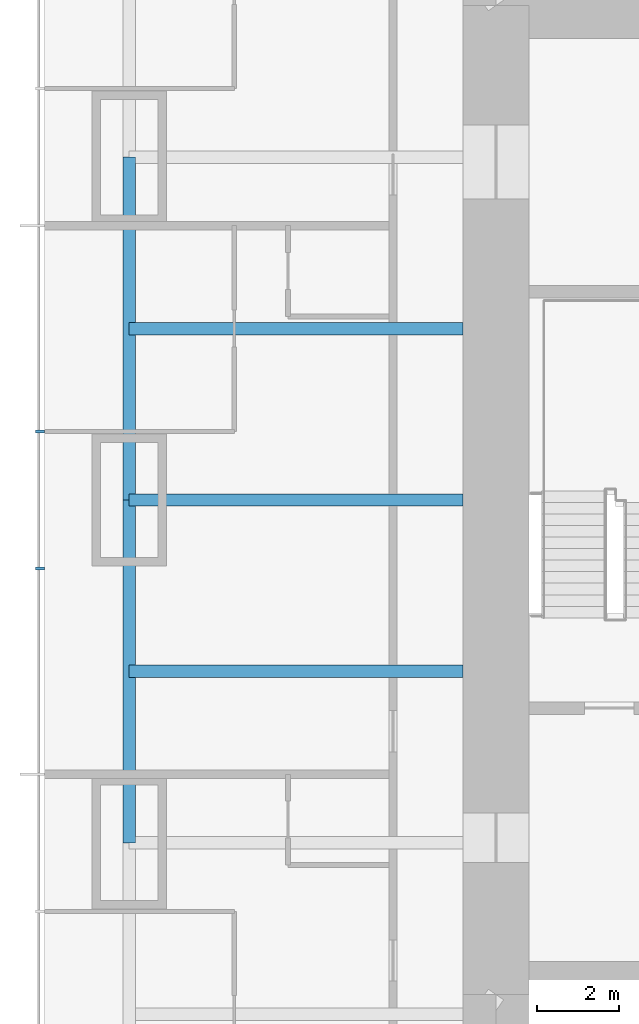
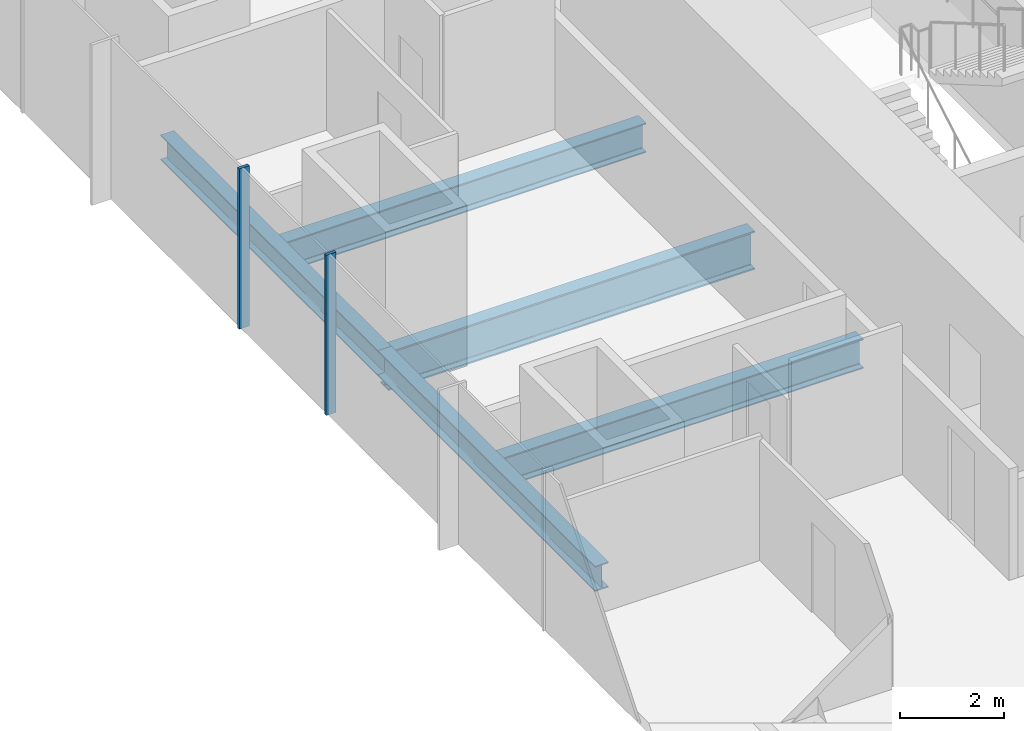
# One storey, part 3 of 12: 5 beams, 2 members, 1 element without a shape of its own.
"""IFC4 building model written with IfcOpenShell, lengths in metres."""

from ifc_helpers import new_model, si_unit, direction, frame, origin, origin_2d, place, context, subcontext, project, spatial, rectangle, i_section, extrude, material, material_profile, profile_set, type_object, element, aggregate, save


model = new_model("IFC4")

# Units and contexts
model_context = context("Model", 3, precision=1e-05, world=origin(), true_north=direction((0.0, 1.0)))
body_context = subcontext(model_context, "Body", "Model", "MODEL_VIEW")
ifc_project = project(units=[si_unit("LENGTHUNIT", "METRE"), si_unit("AREAUNIT", "SQUARE_METRE"), si_unit("VOLUMEUNIT", "CUBIC_METRE"), si_unit("PLANEANGLEUNIT", "RADIAN"), si_unit("MASSUNIT", "GRAM", prefix="KILO")], contexts=[model_context])

# Site, building, storey
site_placement = place(None, origin())
site = spatial("IfcSite", under=ifc_project, at=site_placement, CompositionType="ELEMENT")
building_placement = place(site_placement, origin())
building = spatial("IfcBuilding", under=site, at=building_placement, Name="Khuree Lantern Residences", CompositionType="ELEMENT")
storey_placement = place(building_placement, frame((0.0, 0.0, 210.75)))
storey = spatial("IfcBuildingStorey", under=building, at=storey_placement, Name="L52", CompositionType="ELEMENT", Elevation=210.75)

# Beams
ifc_material_1 = material(Name="Steel S355", Category="steel")
ifc_material_profile_1 = material_profile(ifc_material_1, i_section(OverallWidth=0.300048828125, OverallDepth=0.68994140625, WebThickness=0.014404296875, FlangeThickness=0.027099609375, FilletRadius=0.027099609375, at=origin_2d()), Name="HE 700 A")
ifc_profile_set_1 = profile_set([ifc_material_profile_1], Name="Steel S355")
beam_type_1 = type_object("IfcBeamType", Name="B-31 SECONDARY BEAM HE 700 A", PredefinedType="BEAM", material=ifc_profile_set_1)
for number, where, z_axis, x_axis, name in (
    (1, (-24.39990234375, -4.159912109375, -0.594970703125), (1.0, 0.0, 0.0), (0.0, 1.0, 0.0), "Secondary beam W3"),
    (2, (-24.39990234375, 4.159912109375, -0.594970703125), (1.0, 0.0, 0.0), (0.0, 1.0, 0.0), "Secondary beam W4"),
):
    element("IfcBeam", number, at=place(storey_placement, frame(where, z_axis=z_axis, x_axis=x_axis)), inside=storey, type_object=beam_type_1, Name=name, PredefinedType="BEAM", context=body_context, shape_type="SweptSolid", body=[
        extrude(i_section(OverallWidth=0.300048828125, OverallDepth=0.68994140625, WebThickness=0.014404296875, FlangeThickness=0.027099609375, FilletRadius=0.027099609375, at=origin_2d()), origin(), (0.0, 0.0, 1.0), 8.099853515625),
    ])
ifc_material_profile_2 = material_profile(ifc_material_1, i_section(OverallWidth=0.300048828125, OverallDepth=0.590087890625, WebThickness=0.012939453125, FlangeThickness=0.02490234375, FilletRadius=0.027099609375, at=origin_2d()), Name="HE 600 A")
ifc_profile_set_2 = profile_set([ifc_material_profile_2], Name="Steel S355")
beam_type_2 = type_object("IfcBeamType", Name="E-31 SPANDREL BEAM HE 600 A", PredefinedType="SPANDREL", material=ifc_profile_set_2)
for number, where, z_axis, x_axis, name in (
    (3, (-24.39990234375, -8.320068359375, -0.544921875), (0.0, 1.0, 0.0), (-1.0, 0.0, 0.0), "Spandrel beam W3"),
    (4, (-24.39990234375, 0.0, -0.544921875), (0.0, 1.0, 0.0), (-1.0, 0.0, 0.0), "Spandrel beam W4"),
):
    element("IfcBeam", number, at=place(storey_placement, frame(where, z_axis=z_axis, x_axis=x_axis)), inside=storey, type_object=beam_type_2, Name=name, PredefinedType="SPANDREL", context=body_context, shape_type="SweptSolid", body=[
        extrude(i_section(OverallWidth=0.300048828125, OverallDepth=0.590087890625, WebThickness=0.012939453125, FlangeThickness=0.02490234375, FilletRadius=0.027099609375, at=origin_2d()), origin(), (0.0, 0.0, 1.0), 8.320068359375),
    ])
ifc_material_profile_3 = material_profile(ifc_material_1, i_section(OverallWidth=0.300048828125, OverallDepth=0.89990234375, WebThickness=0.0185546875, FlangeThickness=0.034912109375, FilletRadius=0.030029296875, at=origin_2d()), Name="HE 900 B")
ifc_profile_set_3 = profile_set([ifc_material_profile_3], Name="Steel S355")
beam_type_3 = type_object("IfcBeamType", Name="G-31A GIRDER HE 900 B", PredefinedType="BEAM", material=ifc_profile_set_3)
beam_placement = place(storey_placement, frame((-24.39990234375, 0.0, -0.699951171875), z_axis=(1.0, 0.0, 0.0), x_axis=(0.0, 1.0, 0.0)))
element("IfcBeam", 5, at=beam_placement, inside=storey, type_object=beam_type_3, Name="Girder W3", PredefinedType="BEAM", context=body_context, shape_type="SweptSolid", body=[
    extrude(i_section(OverallWidth=0.300048828125, OverallDepth=0.89990234375, WebThickness=0.0185546875, FlangeThickness=0.034912109375, FilletRadius=0.030029296875, at=origin_2d()), origin(), (0.0, 0.0, 1.0), 8.099853515625),
])

# Curtain wall, members
ifc_material_2 = material(Name="Bronze anodised aluminium", Category="aluminium")
curtain_wall_type = type_object("IfcCurtainWallType", Name="CW-T1 TOWER FACE CURTAIN WALL", PredefinedType="USERDEFINED", material=ifc_material_2)
curtain_wall_placement = place(storey_placement, origin())
curtain_wall = element("IfcCurtainWall", 6, at=curtain_wall_placement, inside=storey, type_object=curtain_wall_type, Name="L52 WEST FACE CURTAIN WALL", ObjectType="Stick-built curtain wall", PredefinedType="USERDEFINED")
ifc_material_profile_4 = material_profile(ifc_material_2, rectangle(XDim=0.06494140625, YDim=0.219970703125, at=origin_2d()), Name="M1 65X220")
ifc_profile_set_4 = profile_set([ifc_material_profile_4], Name="Bronze anodised aluminium")
member_type = type_object("IfcMemberType", Name="M1 BRONZE MULLION TOWER 65X220", PredefinedType="MULLION", material=ifc_profile_set_4)
member_1_placement = place(storey_placement, frame((-26.56005859375, 1.6640625, 0.0), z_axis=(0.0, 0.0, 1.0), x_axis=(0.0, -1.0, 0.0)))
member_1 = element("IfcMember", 7, at=member_1_placement, type_object=member_type, Name="L52 WEST FACE MULLION 37", PredefinedType="MULLION", context=body_context, shape_type="SweptSolid", body=[
    extrude(rectangle(XDim=0.06494140625, YDim=0.219970703125, at=origin_2d()), origin(), (0.0, 0.0, 1.0), 3.75),
])
member_2_placement = place(storey_placement, frame((-26.56005859375, -1.6640625, 0.0), z_axis=(0.0, 0.0, 1.0), x_axis=(0.0, -1.0, 0.0)))
member_2 = element("IfcMember", 8, at=member_2_placement, type_object=member_type, Name="L52 WEST FACE MULLION 38", PredefinedType="MULLION", context=body_context, shape_type="SweptSolid", body=[
    extrude(rectangle(XDim=0.06494140625, YDim=0.219970703125, at=origin_2d()), origin(), (0.0, 0.0, 1.0), 3.75),
])
aggregate(curtain_wall, [member_1, member_2])

save(model, "model.ifc")
